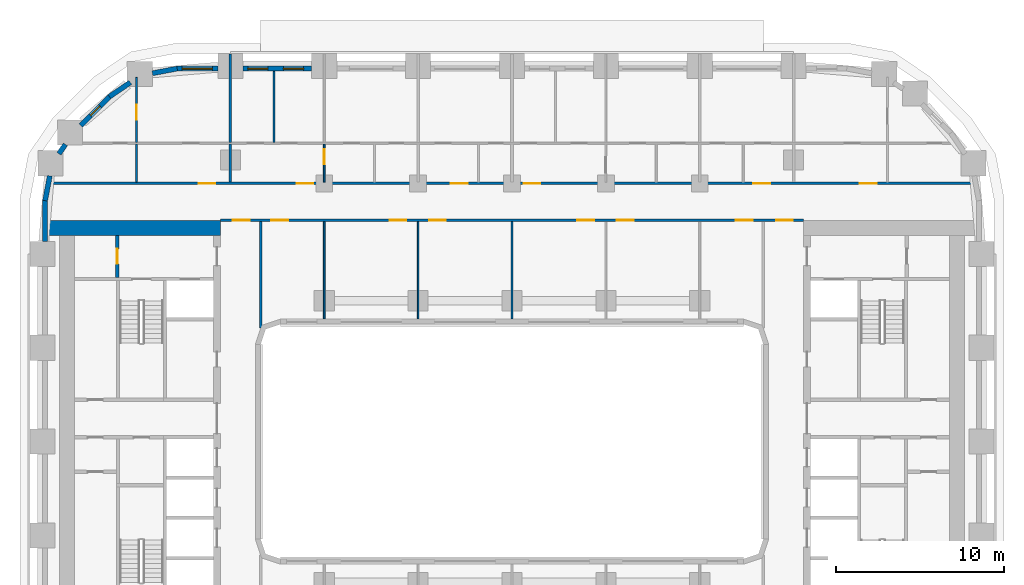
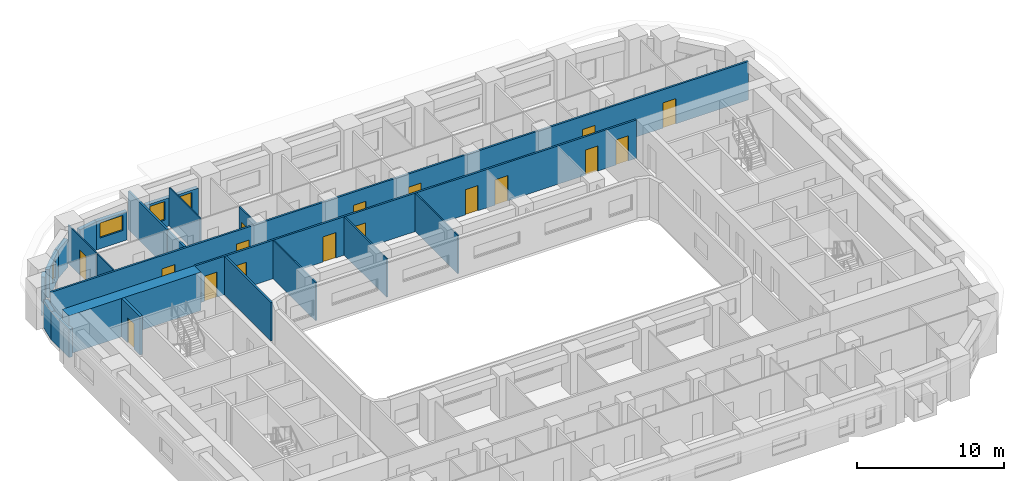
# One storey, part 7 of 21: 22 walls, 17 doors, 4 windows, 21 openings.
"""IFC4 building model written with IfcOpenShell, lengths in metres."""

from ifc_helpers import new_model, si_unit, direction, frame, frame_2d, origin, place, context, subcontext, project, spatial, rectangle, extrude, material, layer, layer_set, type_object, element, fill, save


model = new_model("IFC4")

# Units and contexts
model_context = context("Model", 3, precision=1e-05, world=origin(), true_north=direction((0.0, 1.0)))
body_context = subcontext(model_context, "Body", "Model", "MODEL_VIEW")
ifc_project = project(units=[si_unit("LENGTHUNIT", "METRE"), si_unit("AREAUNIT", "SQUARE_METRE"), si_unit("VOLUMEUNIT", "CUBIC_METRE"), si_unit("PLANEANGLEUNIT", "RADIAN"), si_unit("MASSUNIT", "GRAM", prefix="KILO")], contexts=[model_context])

# Site, building, storey
site_placement = place(None, origin())
site = spatial("IfcSite", under=ifc_project, at=site_placement, CompositionType="ELEMENT")
building_placement = place(site_placement, origin())
building = spatial("IfcBuilding", under=site, at=building_placement, Name="Kiln Ring Residences", CompositionType="ELEMENT")
storey_placement = place(building_placement, frame((0.0, 0.0, 34.0)))
storey = spatial("IfcBuildingStorey", under=building, at=storey_placement, Name="L07", CompositionType="ELEMENT", Elevation=34.0)

# Wall, opening, door
ifc_material_1 = material(Name="Gypsum board on steel studs", Category="steel")
ifc_layer_1 = layer(ifc_material_1, 0.199951171875)
ifc_layer_set_1 = layer_set([ifc_layer_1], Name="CORE-PARTITION-200")
wall_type_1 = type_object("IfcWallType", Name="CORE-PARTITION-200", PredefinedType="PARTITIONING", material=ifc_layer_set_1)
wall_1_placement = place(storey_placement, frame((-23.550048828125, 9.800048828125, 0.0), z_axis=(0.0, 0.0, 1.0), x_axis=(0.0, 1.0, 0.0)))
wall_1 = element("IfcWall", 1, at=wall_1_placement, inside=storey, type_object=wall_type_1, Name="Core partition west L07 3", PredefinedType="PARTITIONING", context=body_context, shape_type="SweptSolid", body=[
    extrude(rectangle(XDim=2.5, YDim=0.199951171875, at=frame_2d((1.25, 0.0))), origin(), (0.0, 0.0, 1.0), 3.199951171875),
])
opening_1_placement = place(wall_1_placement, frame((0.800048828125, 0.0, 0.0)))
opening_1 = element("IfcOpeningElement", 2, at=opening_1_placement, cuts=wall_1, Name="Opening L07-CW09", PredefinedType="OPENING", context=body_context, shape_type="SweptSolid", body=[
    extrude(rectangle(XDim=0.89990234375, YDim=2.10009765625, at=frame_2d((0.449951171875, 1.050048828125))), frame((0.0, 0.10986328125, 0.0), z_axis=(0.0, -1.0, 0.0), x_axis=(1.0, 0.0, 0.0)), (0.0, 0.0, 1.0), 0.219970703125),
])
ifc_material_2 = material(Name="Steel door leaf", Category="steel")
door_type_1 = type_object("IfcDoorType", Name="CORE-DOOR-ROOM", OperationType="SINGLE_SWING_LEFT", PredefinedType="DOOR", material=ifc_material_2)
door_1_placement = place(opening_1_placement, origin())
door_1 = element("IfcDoor", 3, at=door_1_placement, inside=storey, type_object=door_type_1, Name="Fire riser room L07-CW09", OperationType="SINGLE_SWING_LEFT", OverallHeight=2.10009765625, OverallWidth=0.89990234375, PredefinedType="DOOR", context=body_context, shape_type="SweptSolid", body=[
    extrude(rectangle(XDim=0.89990234375, YDim=2.10009765625, at=frame_2d((0.449951171875, 1.050048828125))), frame((0.0, 0.02490234375, 0.0), z_axis=(0.0, -1.0, 0.0), x_axis=(1.0, 0.0, 0.0)), (0.0, 0.0, 1.0), 0.050048828125),
])
fill(opening_1, door_1)

# Wall
ifc_material_3 = material(Name="Concrete C60/75", Category="concrete")
ifc_layer_2 = layer(ifc_material_3, 0.89990234375)
ifc_layer_set_2 = layer_set([ifc_layer_2], Name="CORE-WALL-RC900")
wall_type_2 = type_object("IfcWallType", Name="CORE-WALL-RC900", PredefinedType="SHEAR", material=ifc_layer_set_2)
wall_2_placement = place(storey_placement, frame((-17.39990234375, 12.75, 0.0), z_axis=(0.0, 0.0, 1.0), x_axis=(-1.0, 0.0, 0.0)))
element("IfcWall", 4, at=wall_2_placement, inside=storey, type_object=wall_type_2, Name="Core wall west L07 4", PredefinedType="SHEAR", context=body_context, shape_type="SweptSolid", body=[
    extrude(rectangle(XDim=10.400146484375, YDim=0.89990234375, at=frame_2d((5.2001953125, 0.0))), origin(), (0.0, 0.0, 1.0), 3.199951171875),
])

# Wall, openings, windows
ifc_material_4 = material(Name="Brick masonry, dark clay brick", Category="masonry")
ifc_layer_3 = layer(ifc_material_4, 0.300048828125)
ifc_layer_set_3 = layer_set([ifc_layer_3], Name="EW-300 BRICK WALL")
wall_type_3 = type_object("IfcWallType", Name="EW-300 BRICK WALL", PredefinedType="SOLIDWALL", material=ifc_layer_set_3)
wall_3_placement = place(storey_placement, frame((-11.949951171875, 22.25, 0.0), z_axis=(0.0, 0.0, 1.0), x_axis=(-1.0, 0.0, 0.0)))
wall_3 = element("IfcWall", 5, at=wall_3_placement, inside=storey, type_object=wall_type_3, Name="Facade wall L07 34", PredefinedType="SOLIDWALL", context=body_context, shape_type="SweptSolid", body=[
    extrude(rectangle(XDim=4.10009765625, YDim=0.300048828125, at=frame_2d((2.050048828125, 0.0))), origin(), (0.0, 0.0, 1.0), 2.35009765625),
])
opening_2_placement = place(wall_3_placement, frame((0.487548828125, 0.0, 0.60009765625)))
opening_2 = element("IfcOpeningElement", 6, at=opening_2_placement, cuts=wall_3, Name="Opening W1", PredefinedType="OPENING", context=body_context, shape_type="SweptSolid", body=[
    extrude(rectangle(XDim=1.199951171875, YDim=1.550048828125, at=frame_2d((0.60009765625, 0.77490234375))), frame((0.0, 0.159912109375, 0.0), z_axis=(0.0, -1.0, 0.0), x_axis=(1.0, 0.0, 0.0)), (0.0, 0.0, 1.0), 0.320068359375),
])
opening_3_placement = place(wall_3_placement, frame((2.612548828125, 0.0, 0.60009765625)))
opening_3 = element("IfcOpeningElement", 7, at=opening_3_placement, cuts=wall_3, Name="Opening W1", PredefinedType="OPENING", context=body_context, shape_type="SweptSolid", body=[
    extrude(rectangle(XDim=1.199951171875, YDim=1.550048828125, at=frame_2d((0.60009765625, 0.77490234375))), frame((0.0, 0.159912109375, 0.0), z_axis=(0.0, -1.0, 0.0), x_axis=(1.0, 0.0, 0.0)), (0.0, 0.0, 1.0), 0.320068359375),
])
ifc_material_5 = material(Name="Aluminium frame with double glazing", Category="aluminium")
window_type_1 = type_object("IfcWindowType", Name="WINDOW 1200 x 1550", PartitioningType="SINGLE_PANEL", PredefinedType="WINDOW", material=ifc_material_5)
window_1_placement = place(opening_2_placement, origin())
window_1 = element("IfcWindow", 8, at=window_1_placement, inside=storey, type_object=window_type_1, Name="Window L07 20", OverallHeight=1.550048828125, OverallWidth=1.199951171875, PartitioningType="SINGLE_PANEL", PredefinedType="WINDOW", context=body_context, shape_type="SweptSolid", body=[
    extrude(rectangle(XDim=1.199951171875, YDim=1.550048828125, at=frame_2d((0.60009765625, 0.77490234375))), frame((0.0, 0.030029296875, 0.0), z_axis=(0.0, -1.0, 0.0), x_axis=(1.0, 0.0, 0.0)), (0.0, 0.0, 1.0), 0.06005859375),
])
fill(opening_2, window_1)
window_2_placement = place(opening_3_placement, origin())
window_2 = element("IfcWindow", 9, at=window_2_placement, inside=storey, type_object=window_type_1, Name="Window L07 21", OverallHeight=1.550048828125, OverallWidth=1.199951171875, PartitioningType="SINGLE_PANEL", PredefinedType="WINDOW", context=body_context, shape_type="SweptSolid", body=[
    extrude(rectangle(XDim=1.199951171875, YDim=1.550048828125, at=frame_2d((0.60009765625, 0.77490234375))), frame((0.0, 0.030029296875, 0.0), z_axis=(0.0, -1.0, 0.0), x_axis=(1.0, 0.0, 0.0)), (0.0, 0.0, 1.0), 0.06005859375),
])
fill(opening_3, window_2)

# Wall, opening, window
wall_4_placement = place(storey_placement, frame((-17.550048828125, 22.25, 0.0), z_axis=(0.0, 0.0, 1.0), x_axis=(-1.0, 0.0, 0.0)))
wall_4 = element("IfcWall", 10, at=wall_4_placement, inside=storey, type_object=wall_type_3, Name="Facade wall L07 35", PredefinedType="SOLIDWALL", context=body_context, shape_type="SweptSolid", body=[
    extrude(rectangle(XDim=2.449951171875, YDim=0.300048828125, at=frame_2d((1.22509765625, 0.0))), origin(), (0.0, 0.0, 1.0), 2.35009765625),
])
opening_4_placement = place(wall_4_placement, frame((0.324951171875, 0.0, 0.89990234375)))
opening_4 = element("IfcOpeningElement", 11, at=opening_4_placement, cuts=wall_4, Name="Opening W2", PredefinedType="OPENING", context=body_context, shape_type="SweptSolid", body=[
    extrude(rectangle(XDim=1.800048828125, YDim=1.25, at=frame_2d((0.89990234375, 0.625))), frame((0.0, 0.159912109375, 0.0), z_axis=(0.0, -1.0, 0.0), x_axis=(1.0, 0.0, 0.0)), (0.0, 0.0, 1.0), 0.320068359375),
])
ifc_material_6 = material(Name="Aluminium frame with double glazing", Category="aluminium")
window_type_2 = type_object("IfcWindowType", Name="WINDOW 1800 x 1250", PartitioningType="SINGLE_PANEL", PredefinedType="WINDOW", material=ifc_material_6)
window_3_placement = place(opening_4_placement, origin())
window_3 = element("IfcWindow", 12, at=window_3_placement, inside=storey, type_object=window_type_2, Name="Window L07 22", OverallHeight=1.25, OverallWidth=1.800048828125, PartitioningType="SINGLE_PANEL", PredefinedType="WINDOW", context=body_context, shape_type="SweptSolid", body=[
    extrude(rectangle(XDim=1.800048828125, YDim=1.25, at=frame_2d((0.89990234375, 0.625))), frame((0.0, 0.030029296875, 0.0), z_axis=(0.0, -1.0, 0.0), x_axis=(1.0, 0.0, 0.0)), (0.0, 0.0, 1.0), 0.06005859375),
])
fill(opening_4, window_3)

# Walls
for number, where, z_axis, x_axis, name in (
    (13, (-19.971923828125, 22.252685546875, 0.0), (0.0, 0.0, 1.0), (-0.982287454367, -0.187380247071, 0.0), "Facade wall L07 36"),
    (14, (-22.76708984375, 21.425537109375, 0.0), (0.0, 0.0, 1.0), (-0.827028997312, -0.562159263559, 0.0), "Facade wall L07 37"),
):
    element("IfcWall", number, at=place(storey_placement, frame(where, z_axis=z_axis, x_axis=x_axis)), inside=storey, type_object=wall_type_3, Name=name, PredefinedType="SOLIDWALL", context=body_context, shape_type="SweptSolid", body=[
        extrude(rectangle(XDim=1.506103515625, YDim=0.300048828125, at=frame_2d((0.7529296875, 0.0))), origin(), (0.0, 0.0, 1.0), 2.35009765625),
    ])

# Wall, opening, window
wall_5_placement = place(storey_placement, frame((-23.990966796875, 20.596923828125, 0.0), z_axis=(0.0, 0.0, 1.0), x_axis=(-0.707106781187, -0.707106781187, 0.0)))
wall_5 = element("IfcWall", 15, at=wall_5_placement, inside=storey, type_object=wall_type_3, Name="Facade wall L07 38", PredefinedType="SOLIDWALL", context=body_context, shape_type="SweptSolid", body=[
    extrude(rectangle(XDim=2.449951171875, YDim=0.300048828125, at=frame_2d((1.22509765625, 0.0))), origin(), (0.0, 0.0, 1.0), 2.35009765625),
])
opening_5_placement = place(wall_5_placement, frame((0.824951171875, 0.0, 0.60009765625)))
opening_5 = element("IfcOpeningElement", 16, at=opening_5_placement, cuts=wall_5, Name="Opening W5", PredefinedType="OPENING", context=body_context, shape_type="SweptSolid", body=[
    extrude(rectangle(XDim=0.800048828125, YDim=1.550048828125, at=frame_2d((0.39990234375, 0.77490234375))), frame((0.0, 0.159912109375, 0.0), z_axis=(0.0, -1.0, 0.0), x_axis=(1.0, 0.0, 0.0)), (0.0, 0.0, 1.0), 0.320068359375),
])
ifc_material_7 = material(Name="Aluminium frame with double glazing", Category="aluminium")
window_type_3 = type_object("IfcWindowType", Name="WINDOW 800 x 1550", PartitioningType="SINGLE_PANEL", PredefinedType="WINDOW", material=ifc_material_7)
window_4_placement = place(opening_5_placement, origin())
window_4 = element("IfcWindow", 17, at=window_4_placement, inside=storey, type_object=window_type_3, Name="Window L07 23", OverallHeight=1.550048828125, OverallWidth=0.800048828125, PartitioningType="SINGLE_PANEL", PredefinedType="WINDOW", context=body_context, shape_type="SweptSolid", body=[
    extrude(rectangle(XDim=0.800048828125, YDim=1.550048828125, at=frame_2d((0.39990234375, 0.77490234375))), frame((0.0, 0.030029296875, 0.0), z_axis=(0.0, -1.0, 0.0), x_axis=(1.0, 0.0, 0.0)), (0.0, 0.0, 1.0), 0.06005859375),
])
fill(opening_5, window_4)

# Walls
wall_6_placement = place(storey_placement, frame((-26.644775390625, 17.72705078125, 0.0), z_axis=(0.0, 0.0, 1.0), x_axis=(-0.562083182981, -0.827080706709, 0.0)))
element("IfcWall", 18, at=wall_6_placement, inside=storey, type_object=wall_type_3, Name="Facade wall L07 39", PredefinedType="SOLIDWALL", context=body_context, shape_type="SweptSolid", body=[
    extrude(rectangle(XDim=0.67724609375, YDim=0.300048828125, at=frame_2d((0.338623046875, 0.0))), origin(), (0.0, 0.0, 1.0), 3.199951171875),
])
wall_7_placement = place(storey_placement, frame((-27.570556640625, 15.851318359375, 0.0), z_axis=(0.0, 0.0, 1.0), x_axis=(-0.187223837635, -0.982317277982, 0.0)))
element("IfcWall", 19, at=wall_7_placement, inside=storey, type_object=wall_type_3, Name="Facade wall L07 40", PredefinedType="SOLIDWALL", context=body_context, shape_type="SweptSolid", body=[
    extrude(rectangle(XDim=1.506103515625, YDim=0.300048828125, at=frame_2d((0.7529296875, 0.0))), origin(), (0.0, 0.0, 1.0), 2.35009765625),
])
wall_8_placement = place(storey_placement, frame((-27.85009765625, 14.39990234375, 0.0), z_axis=(0.0, 0.0, 1.0), x_axis=(0.0, -1.0, 0.0)))
element("IfcWall", 20, at=wall_8_placement, inside=storey, type_object=wall_type_3, Name="Facade wall L07 41", PredefinedType="SOLIDWALL", context=body_context, shape_type="SweptSolid", body=[
    extrude(rectangle(XDim=2.449951171875, YDim=0.300048828125, at=frame_2d((1.22509765625, 0.0))), origin(), (0.0, 0.0, 1.0), 2.35009765625),
])
ifc_material_8 = material(Name="Gypsum board on steel studs", Category="steel")
ifc_layer_4 = layer(ifc_material_8, 0.10009765625)
ifc_layer_set_4 = layer_set([ifc_layer_4], Name="PARTITION-100")
wall_type_4 = type_object("IfcWallType", Name="PARTITION-100", PredefinedType="PARTITIONING", material=ifc_layer_set_4)
wall_9_placement = place(storey_placement, frame((-22.39990234375, 15.47509765625, 0.0), z_axis=(0.0, 0.0, 1.0), x_axis=(0.0, 1.0, 0.0)))
element("IfcWall", 21, at=wall_9_placement, inside=storey, type_object=wall_type_4, Name="Partition 008", PredefinedType="PARTITIONING", context=body_context, shape_type="SweptSolid", body=[
    extrude(rectangle(XDim=2.27490234375, YDim=0.10009765625, at=frame_2d((1.137451171875, 0.0))), origin(), (0.0, 0.0, 1.0), 3.199951171875),
])

# Wall, opening, door
wall_10_placement = place(storey_placement, frame((-22.39990234375, 17.85009765625, 0.0), z_axis=(0.0, 0.0, 1.0), x_axis=(0.0, 1.0, 0.0)))
wall_10 = element("IfcWall", 22, at=wall_10_placement, inside=storey, type_object=wall_type_4, Name="Partition 009", PredefinedType="PARTITIONING", context=body_context, shape_type="SweptSolid", body=[
    extrude(rectangle(XDim=3.869873046875, YDim=0.10009765625, at=frame_2d((1.93505859375, 0.0))), origin(), (0.0, 0.0, 1.0), 3.199951171875),
])
opening_6_placement = place(wall_10_placement, frame((1.347900390625, 0.0, 0.0)))
opening_6 = element("IfcOpeningElement", 23, at=opening_6_placement, cuts=wall_10, Name="Opening L07-D014", PredefinedType="OPENING", context=body_context, shape_type="SweptSolid", body=[
    extrude(rectangle(XDim=0.89990234375, YDim=2.10009765625, at=frame_2d((0.449951171875, 1.050048828125))), frame((0.0, 0.06005859375, 0.0), z_axis=(0.0, -1.0, 0.0), x_axis=(1.0, 0.0, 0.0)), (0.0, 0.0, 1.0), 0.1201171875),
])
ifc_material_9 = material(Name="Timber door leaf", Category="wood")
door_type_2 = type_object("IfcDoorType", Name="FLAT-DOOR-900-PL", OperationType="SINGLE_SWING_LEFT", PredefinedType="DOOR", material=ifc_material_9)
door_2_placement = place(opening_6_placement, origin())
door_2 = element("IfcDoor", 24, at=door_2_placement, inside=storey, type_object=door_type_2, Name="Door L07-D014", OperationType="SINGLE_SWING_RIGHT", OverallHeight=2.10009765625, OverallWidth=0.89990234375, PredefinedType="DOOR", context=body_context, shape_type="SweptSolid", body=[
    extrude(rectangle(XDim=0.89990234375, YDim=2.10009765625, at=frame_2d((0.449951171875, 1.050048828125))), frame((0.0, 0.02490234375, 0.0), z_axis=(0.0, -1.0, 0.0), x_axis=(1.0, 0.0, 0.0)), (0.0, 0.0, 1.0), 0.050048828125),
])
fill(opening_6, door_2)

# Walls
wall_11_placement = place(storey_placement, frame((-14.199951171875, 17.85009765625, 0.0), z_axis=(0.0, 0.0, 1.0), x_axis=(0.0, 1.0, 0.0)))
element("IfcWall", 25, at=wall_11_placement, inside=storey, type_object=wall_type_4, Name="Partition 016", PredefinedType="PARTITIONING", context=body_context, shape_type="SweptSolid", body=[
    extrude(rectangle(XDim=4.22998046875, YDim=0.10009765625, at=frame_2d((2.114990234375, 0.0))), origin(), (0.0, 0.0, 1.0), 3.199951171875),
])
wall_12_placement = place(storey_placement, frame((-11.199951171875, 7.320068359375, 0.0), z_axis=(0.0, 0.0, 1.0), x_axis=(0.0, 1.0, 0.0)))
element("IfcWall", 26, at=wall_12_placement, inside=storey, type_object=wall_type_4, Name="Partition 019", PredefinedType="PARTITIONING", context=body_context, shape_type="SweptSolid", body=[
    extrude(rectangle(XDim=5.804931640625, YDim=0.10009765625, at=frame_2d((2.90234375, 0.0))), origin(), (0.0, 0.0, 1.0), 3.199951171875),
])

# Wall, opening, door
wall_13_placement = place(storey_placement, frame((-11.199951171875, 15.47509765625, 0.0), z_axis=(0.0, 0.0, 1.0), x_axis=(0.0, 1.0, 0.0)))
wall_13 = element("IfcWall", 27, at=wall_13_placement, inside=storey, type_object=wall_type_4, Name="Partition 020", PredefinedType="PARTITIONING", context=body_context, shape_type="SweptSolid", body=[
    extrude(rectangle(XDim=2.27490234375, YDim=0.10009765625, at=frame_2d((1.137451171875, 0.0))), origin(), (0.0, 0.0, 1.0), 3.199951171875),
])
opening_7_placement = place(wall_13_placement, frame((1.075927734375, 0.0, 0.0)))
opening_7 = element("IfcOpeningElement", 28, at=opening_7_placement, cuts=wall_13, Name="Opening L07-D016", PredefinedType="OPENING", context=body_context, shape_type="SweptSolid", body=[
    extrude(rectangle(XDim=0.89990234375, YDim=2.10009765625, at=frame_2d((0.449951171875, 1.050048828125))), frame((0.0, 0.06005859375, 0.0), z_axis=(0.0, -1.0, 0.0), x_axis=(1.0, 0.0, 0.0)), (0.0, 0.0, 1.0), 0.1201171875),
])
door_3_placement = place(opening_7_placement, origin())
door_3 = element("IfcDoor", 29, at=door_3_placement, inside=storey, type_object=door_type_2, Name="Door L07-D016", OperationType="SINGLE_SWING_RIGHT", OverallHeight=2.10009765625, OverallWidth=0.89990234375, PredefinedType="DOOR", context=body_context, shape_type="SweptSolid", body=[
    extrude(rectangle(XDim=0.89990234375, YDim=2.10009765625, at=frame_2d((0.449951171875, 1.050048828125))), frame((0.0, 0.02490234375, 0.0), z_axis=(0.0, -1.0, 0.0), x_axis=(1.0, 0.0, 0.0)), (0.0, 0.0, 1.0), 0.050048828125),
])
fill(opening_7, door_3)

# Walls
for number, where, z_axis, x_axis, name in (
    (30, (-5.60009765625, 7.320068359375, 0.0), (0.0, 0.0, 1.0), (0.0, 1.0, 0.0), "Partition 027"),
    (31, (0.0, 7.320068359375, 0.0), (0.0, 0.0, 1.0), (0.0, 1.0, 0.0), "Partition 035"),
):
    element("IfcWall", number, at=place(storey_placement, frame(where, z_axis=z_axis, x_axis=x_axis)), inside=storey, type_object=wall_type_4, Name=name, PredefinedType="PARTITIONING", context=body_context, shape_type="SweptSolid", body=[
        extrude(rectangle(XDim=5.804931640625, YDim=0.10009765625, at=frame_2d((2.90234375, 0.0))), origin(), (0.0, 0.0, 1.0), 3.199951171875),
    ])

# Wall, openings, doors
ifc_material_10 = material(Name="Brick masonry partition", Category="masonry")
ifc_layer_5 = layer(ifc_material_10, 0.14990234375)
ifc_layer_set_5 = layer_set([ifc_layer_5], Name="PARTITION-150-ei60")
wall_type_5 = type_object("IfcWallType", Name="PARTITION-150-ei60", PredefinedType="PARTITIONING", material=ifc_layer_set_5)
wall_14_placement = place(storey_placement, frame((-17.39990234375, 13.199951171875, 0.0), z_axis=(0.0, 0.0, 1.0), x_axis=(1.0, 0.0, 0.0)))
wall_14 = element("IfcWall", 32, at=wall_14_placement, inside=storey, type_object=wall_type_5, Name="Partition 003", PredefinedType="PARTITIONING", context=body_context, shape_type="SweptSolid", body=[
    extrude(rectangle(XDim=34.7998046875, YDim=0.14990234375, at=frame_2d((17.39990234375, 0.0))), origin(), (0.0, 0.0, 1.0), 3.199951171875),
])
opening_8_placement = place(wall_14_placement, frame((0.75, 0.0, 0.0)))
opening_8 = element("IfcOpeningElement", 33, at=opening_8_placement, cuts=wall_14, Name="Opening L07-D001", PredefinedType="OPENING", context=body_context, shape_type="SweptSolid", body=[
    extrude(rectangle(XDim=1.0, YDim=2.10009765625, at=frame_2d((0.5, 1.050048828125))), frame((0.0, 0.0849609375, 0.0), z_axis=(0.0, -1.0, 0.0), x_axis=(1.0, 0.0, 0.0)), (0.0, 0.0, 1.0), 0.169921875),
])
opening_9_placement = place(wall_14_placement, frame((33.14990234375, 0.0, 0.0)))
opening_9 = element("IfcOpeningElement", 34, at=opening_9_placement, cuts=wall_14, Name="Opening L07-D002", PredefinedType="OPENING", context=body_context, shape_type="SweptSolid", body=[
    extrude(rectangle(XDim=1.0, YDim=2.10009765625, at=frame_2d((0.5, 1.050048828125))), frame((0.0, 0.0849609375, 0.0), z_axis=(0.0, -1.0, 0.0), x_axis=(1.0, 0.0, 0.0)), (0.0, 0.0, 1.0), 0.169921875),
])
opening_10_placement = place(wall_14_placement, frame((3.050048828125, 0.0, 0.0)))
opening_10 = element("IfcOpeningElement", 35, at=opening_10_placement, cuts=wall_14, Name="Opening L07-D005", PredefinedType="OPENING", context=body_context, shape_type="SweptSolid", body=[
    extrude(rectangle(XDim=1.0, YDim=2.10009765625, at=frame_2d((0.5, 1.050048828125))), frame((0.0, 0.0849609375, 0.0), z_axis=(0.0, -1.0, 0.0), x_axis=(1.0, 0.0, 0.0)), (0.0, 0.0, 1.0), 0.169921875),
])
opening_11_placement = place(wall_14_placement, frame((10.10009765625, 0.0, 0.0)))
opening_11 = element("IfcOpeningElement", 36, at=opening_11_placement, cuts=wall_14, Name="Opening L07-D006", PredefinedType="OPENING", context=body_context, shape_type="SweptSolid", body=[
    extrude(rectangle(XDim=1.0, YDim=2.10009765625, at=frame_2d((0.5, 1.050048828125))), frame((0.0, 0.0849609375, 0.0), z_axis=(0.0, -1.0, 0.0), x_axis=(1.0, 0.0, 0.0)), (0.0, 0.0, 1.0), 0.169921875),
])
opening_12_placement = place(wall_14_placement, frame((12.449951171875, 0.0, 0.0)))
opening_12 = element("IfcOpeningElement", 37, at=opening_12_placement, cuts=wall_14, Name="Opening L07-D007", PredefinedType="OPENING", context=body_context, shape_type="SweptSolid", body=[
    extrude(rectangle(XDim=1.0, YDim=2.10009765625, at=frame_2d((0.5, 1.050048828125))), frame((0.0, 0.0849609375, 0.0), z_axis=(0.0, -1.0, 0.0), x_axis=(1.0, 0.0, 0.0)), (0.0, 0.0, 1.0), 0.169921875),
])
opening_13_placement = place(wall_14_placement, frame((21.300048828125, 0.0, 0.0)))
opening_13 = element("IfcOpeningElement", 38, at=opening_13_placement, cuts=wall_14, Name="Opening L07-D008", PredefinedType="OPENING", context=body_context, shape_type="SweptSolid", body=[
    extrude(rectangle(XDim=1.0, YDim=2.10009765625, at=frame_2d((0.5, 1.050048828125))), frame((0.0, 0.0849609375, 0.0), z_axis=(0.0, -1.0, 0.0), x_axis=(1.0, 0.0, 0.0)), (0.0, 0.0, 1.0), 0.169921875),
])
opening_14_placement = place(wall_14_placement, frame((23.64990234375, 0.0, 0.0)))
opening_14 = element("IfcOpeningElement", 39, at=opening_14_placement, cuts=wall_14, Name="Opening L07-D009", PredefinedType="OPENING", context=body_context, shape_type="SweptSolid", body=[
    extrude(rectangle(XDim=1.0, YDim=2.10009765625, at=frame_2d((0.5, 1.050048828125))), frame((0.0, 0.0849609375, 0.0), z_axis=(0.0, -1.0, 0.0), x_axis=(1.0, 0.0, 0.0)), (0.0, 0.0, 1.0), 0.169921875),
])
opening_15_placement = place(wall_14_placement, frame((30.75, 0.0, 0.0)))
opening_15 = element("IfcOpeningElement", 40, at=opening_15_placement, cuts=wall_14, Name="Opening L07-D010", PredefinedType="OPENING", context=body_context, shape_type="SweptSolid", body=[
    extrude(rectangle(XDim=1.0, YDim=2.10009765625, at=frame_2d((0.5, 1.050048828125))), frame((0.0, 0.0849609375, 0.0), z_axis=(0.0, -1.0, 0.0), x_axis=(1.0, 0.0, 0.0)), (0.0, 0.0, 1.0), 0.169921875),
])
ifc_material_11 = material(Name="Steel faced fire door leaf", Category="steel")
door_type_3 = type_object("IfcDoorType", Name="FLAT-DOOR-1000-FR", OperationType="SINGLE_SWING_LEFT", PredefinedType="DOOR", material=ifc_material_11)
door_4_placement = place(opening_8_placement, origin())
door_4 = element("IfcDoor", 41, at=door_4_placement, inside=storey, type_object=door_type_3, Name="Door L07-D001", OperationType="SINGLE_SWING_RIGHT", OverallHeight=2.10009765625, OverallWidth=1.0, PredefinedType="DOOR", context=body_context, shape_type="SweptSolid", body=[
    extrude(rectangle(XDim=1.0, YDim=2.10009765625, at=frame_2d((0.5, 1.050048828125))), frame((0.0, 0.02490234375, 0.0), z_axis=(0.0, -1.0, 0.0), x_axis=(1.0, 0.0, 0.0)), (0.0, 0.0, 1.0), 0.050048828125),
])
fill(opening_8, door_4)
door_5_placement = place(opening_9_placement, origin())
door_5 = element("IfcDoor", 42, at=door_5_placement, inside=storey, type_object=door_type_3, Name="Door L07-D002", OperationType="SINGLE_SWING_LEFT", OverallHeight=2.10009765625, OverallWidth=1.0, PredefinedType="DOOR", context=body_context, shape_type="SweptSolid", body=[
    extrude(rectangle(XDim=1.0, YDim=2.10009765625, at=frame_2d((0.5, 1.050048828125))), frame((0.0, 0.02490234375, 0.0), z_axis=(0.0, -1.0, 0.0), x_axis=(1.0, 0.0, 0.0)), (0.0, 0.0, 1.0), 0.050048828125),
])
fill(opening_9, door_5)
door_6_placement = place(opening_10_placement, origin())
door_6 = element("IfcDoor", 43, at=door_6_placement, inside=storey, type_object=door_type_3, Name="Door L07-D005", OperationType="SINGLE_SWING_LEFT", OverallHeight=2.10009765625, OverallWidth=1.0, PredefinedType="DOOR", context=body_context, shape_type="SweptSolid", body=[
    extrude(rectangle(XDim=1.0, YDim=2.10009765625, at=frame_2d((0.5, 1.050048828125))), frame((0.0, 0.02490234375, 0.0), z_axis=(0.0, -1.0, 0.0), x_axis=(1.0, 0.0, 0.0)), (0.0, 0.0, 1.0), 0.050048828125),
])
fill(opening_10, door_6)
door_7_placement = place(opening_11_placement, origin())
door_7 = element("IfcDoor", 44, at=door_7_placement, inside=storey, type_object=door_type_3, Name="Door L07-D006", OperationType="SINGLE_SWING_RIGHT", OverallHeight=2.10009765625, OverallWidth=1.0, PredefinedType="DOOR", context=body_context, shape_type="SweptSolid", body=[
    extrude(rectangle(XDim=1.0, YDim=2.10009765625, at=frame_2d((0.5, 1.050048828125))), frame((0.0, 0.02490234375, 0.0), z_axis=(0.0, -1.0, 0.0), x_axis=(1.0, 0.0, 0.0)), (0.0, 0.0, 1.0), 0.050048828125),
])
fill(opening_11, door_7)
door_8_placement = place(opening_12_placement, origin())
door_8 = element("IfcDoor", 45, at=door_8_placement, inside=storey, type_object=door_type_3, Name="Door L07-D007", OperationType="SINGLE_SWING_LEFT", OverallHeight=2.10009765625, OverallWidth=1.0, PredefinedType="DOOR", context=body_context, shape_type="SweptSolid", body=[
    extrude(rectangle(XDim=1.0, YDim=2.10009765625, at=frame_2d((0.5, 1.050048828125))), frame((0.0, 0.02490234375, 0.0), z_axis=(0.0, -1.0, 0.0), x_axis=(1.0, 0.0, 0.0)), (0.0, 0.0, 1.0), 0.050048828125),
])
fill(opening_12, door_8)
door_9_placement = place(opening_13_placement, origin())
door_9 = element("IfcDoor", 46, at=door_9_placement, inside=storey, type_object=door_type_3, Name="Door L07-D008", OperationType="SINGLE_SWING_RIGHT", OverallHeight=2.10009765625, OverallWidth=1.0, PredefinedType="DOOR", context=body_context, shape_type="SweptSolid", body=[
    extrude(rectangle(XDim=1.0, YDim=2.10009765625, at=frame_2d((0.5, 1.050048828125))), frame((0.0, 0.02490234375, 0.0), z_axis=(0.0, -1.0, 0.0), x_axis=(1.0, 0.0, 0.0)), (0.0, 0.0, 1.0), 0.050048828125),
])
fill(opening_13, door_9)
door_10_placement = place(opening_14_placement, origin())
door_10 = element("IfcDoor", 47, at=door_10_placement, inside=storey, type_object=door_type_3, Name="Door L07-D009", OperationType="SINGLE_SWING_LEFT", OverallHeight=2.10009765625, OverallWidth=1.0, PredefinedType="DOOR", context=body_context, shape_type="SweptSolid", body=[
    extrude(rectangle(XDim=1.0, YDim=2.10009765625, at=frame_2d((0.5, 1.050048828125))), frame((0.0, 0.02490234375, 0.0), z_axis=(0.0, -1.0, 0.0), x_axis=(1.0, 0.0, 0.0)), (0.0, 0.0, 1.0), 0.050048828125),
])
fill(opening_14, door_10)
door_11_placement = place(opening_15_placement, origin())
door_11 = element("IfcDoor", 48, at=door_11_placement, inside=storey, type_object=door_type_3, Name="Door L07-D010", OperationType="SINGLE_SWING_RIGHT", OverallHeight=2.10009765625, OverallWidth=1.0, PredefinedType="DOOR", context=body_context, shape_type="SweptSolid", body=[
    extrude(rectangle(XDim=1.0, YDim=2.10009765625, at=frame_2d((0.5, 1.050048828125))), frame((0.0, 0.02490234375, 0.0), z_axis=(0.0, -1.0, 0.0), x_axis=(1.0, 0.0, 0.0)), (0.0, 0.0, 1.0), 0.050048828125),
])
fill(opening_15, door_11)

wall_15_placement = place(storey_placement, frame((-27.48388671875, 15.39990234375, 0.0), z_axis=(0.0, 0.0, 1.0), x_axis=(1.0, 0.0, 0.0)))
wall_15 = element("IfcWall", 49, at=wall_15_placement, inside=storey, type_object=wall_type_5, Name="Partition 004", PredefinedType="PARTITIONING", context=body_context, shape_type="SweptSolid", body=[
    extrude(rectangle(XDim=54.9677734375, YDim=0.14990234375, at=frame_2d((27.48388671875, 0.0))), origin(), (0.0, 0.0, 1.0), 3.199951171875),
])
opening_16_placement = place(wall_15_placement, frame((8.78369140625, 0.0, 0.0)))
opening_16 = element("IfcOpeningElement", 50, at=opening_16_placement, cuts=wall_15, Name="Opening L07-D011", PredefinedType="OPENING", context=body_context, shape_type="SweptSolid", body=[
    extrude(rectangle(XDim=1.0, YDim=2.10009765625, at=frame_2d((0.5, 1.050048828125))), frame((0.0, 0.0849609375, 0.0), z_axis=(0.0, -1.0, 0.0), x_axis=(1.0, 0.0, 0.0)), (0.0, 0.0, 1.0), 0.169921875),
])
opening_17_placement = place(wall_15_placement, frame((14.6337890625, 0.0, 0.0)))
opening_17 = element("IfcOpeningElement", 51, at=opening_17_placement, cuts=wall_15, Name="Opening L07-D015", PredefinedType="OPENING", context=body_context, shape_type="SweptSolid", body=[
    extrude(rectangle(XDim=1.0, YDim=2.10009765625, at=frame_2d((0.5, 1.050048828125))), frame((0.0, 0.0849609375, 0.0), z_axis=(0.0, -1.0, 0.0), x_axis=(1.0, 0.0, 0.0)), (0.0, 0.0, 1.0), 0.169921875),
])
opening_18_placement = place(wall_15_placement, frame((23.833740234375, 0.0, 0.0)))
opening_18 = element("IfcOpeningElement", 52, at=opening_18_placement, cuts=wall_15, Name="Opening L07-D021", PredefinedType="OPENING", context=body_context, shape_type="SweptSolid", body=[
    extrude(rectangle(XDim=1.0, YDim=2.10009765625, at=frame_2d((0.5, 1.050048828125))), frame((0.0, 0.0849609375, 0.0), z_axis=(0.0, -1.0, 0.0), x_axis=(1.0, 0.0, 0.0)), (0.0, 0.0, 1.0), 0.169921875),
])
opening_19_placement = place(wall_15_placement, frame((28.183837890625, 0.0, 0.0)))
opening_19 = element("IfcOpeningElement", 53, at=opening_19_placement, cuts=wall_15, Name="Opening L07-D024", PredefinedType="OPENING", context=body_context, shape_type="SweptSolid", body=[
    extrude(rectangle(XDim=1.0, YDim=2.10009765625, at=frame_2d((0.5, 1.050048828125))), frame((0.0, 0.0849609375, 0.0), z_axis=(0.0, -1.0, 0.0), x_axis=(1.0, 0.0, 0.0)), (0.0, 0.0, 1.0), 0.169921875),
])
opening_20_placement = place(wall_15_placement, frame((41.8837890625, 0.0, 0.0)))
opening_20 = element("IfcOpeningElement", 54, at=opening_20_placement, cuts=wall_15, Name="Opening L07-D030", PredefinedType="OPENING", context=body_context, shape_type="SweptSolid", body=[
    extrude(rectangle(XDim=1.0, YDim=2.10009765625, at=frame_2d((0.5, 1.050048828125))), frame((0.0, 0.0849609375, 0.0), z_axis=(0.0, -1.0, 0.0), x_axis=(1.0, 0.0, 0.0)), (0.0, 0.0, 1.0), 0.169921875),
])
opening_21_placement = place(wall_15_placement, frame((48.23388671875, 0.0, 0.0)))
opening_21 = element("IfcOpeningElement", 55, at=opening_21_placement, cuts=wall_15, Name="Opening L07-D033", PredefinedType="OPENING", context=body_context, shape_type="SweptSolid", body=[
    extrude(rectangle(XDim=1.0, YDim=2.10009765625, at=frame_2d((0.5, 1.050048828125))), frame((0.0, 0.0849609375, 0.0), z_axis=(0.0, -1.0, 0.0), x_axis=(1.0, 0.0, 0.0)), (0.0, 0.0, 1.0), 0.169921875),
])
door_12_placement = place(opening_16_placement, origin())
door_12 = element("IfcDoor", 56, at=door_12_placement, inside=storey, type_object=door_type_3, Name="Door L07-D011", OperationType="SINGLE_SWING_LEFT", OverallHeight=2.10009765625, OverallWidth=1.0, PredefinedType="DOOR", context=body_context, shape_type="SweptSolid", body=[
    extrude(rectangle(XDim=1.0, YDim=2.10009765625, at=frame_2d((0.5, 1.050048828125))), frame((0.0, 0.02490234375, 0.0), z_axis=(0.0, -1.0, 0.0), x_axis=(1.0, 0.0, 0.0)), (0.0, 0.0, 1.0), 0.050048828125),
])
fill(opening_16, door_12)
door_13_placement = place(opening_17_placement, origin())
door_13 = element("IfcDoor", 57, at=door_13_placement, inside=storey, type_object=door_type_3, Name="Door L07-D015", OperationType="SINGLE_SWING_LEFT", OverallHeight=2.10009765625, OverallWidth=1.0, PredefinedType="DOOR", context=body_context, shape_type="SweptSolid", body=[
    extrude(rectangle(XDim=1.0, YDim=2.10009765625, at=frame_2d((0.5, 1.050048828125))), frame((0.0, 0.02490234375, 0.0), z_axis=(0.0, -1.0, 0.0), x_axis=(1.0, 0.0, 0.0)), (0.0, 0.0, 1.0), 0.050048828125),
])
fill(opening_17, door_13)
door_14_placement = place(opening_18_placement, origin())
door_14 = element("IfcDoor", 58, at=door_14_placement, inside=storey, type_object=door_type_3, Name="Door L07-D021", OperationType="SINGLE_SWING_LEFT", OverallHeight=2.10009765625, OverallWidth=1.0, PredefinedType="DOOR", context=body_context, shape_type="SweptSolid", body=[
    extrude(rectangle(XDim=1.0, YDim=2.10009765625, at=frame_2d((0.5, 1.050048828125))), frame((0.0, 0.02490234375, 0.0), z_axis=(0.0, -1.0, 0.0), x_axis=(1.0, 0.0, 0.0)), (0.0, 0.0, 1.0), 0.050048828125),
])
fill(opening_18, door_14)
door_15_placement = place(opening_19_placement, origin())
door_15 = element("IfcDoor", 59, at=door_15_placement, inside=storey, type_object=door_type_3, Name="Door L07-D024", OperationType="SINGLE_SWING_RIGHT", OverallHeight=2.10009765625, OverallWidth=1.0, PredefinedType="DOOR", context=body_context, shape_type="SweptSolid", body=[
    extrude(rectangle(XDim=1.0, YDim=2.10009765625, at=frame_2d((0.5, 1.050048828125))), frame((0.0, 0.02490234375, 0.0), z_axis=(0.0, -1.0, 0.0), x_axis=(1.0, 0.0, 0.0)), (0.0, 0.0, 1.0), 0.050048828125),
])
fill(opening_19, door_15)
door_16_placement = place(opening_20_placement, origin())
door_16 = element("IfcDoor", 60, at=door_16_placement, inside=storey, type_object=door_type_3, Name="Door L07-D030", OperationType="SINGLE_SWING_RIGHT", OverallHeight=2.10009765625, OverallWidth=1.0, PredefinedType="DOOR", context=body_context, shape_type="SweptSolid", body=[
    extrude(rectangle(XDim=1.0, YDim=2.10009765625, at=frame_2d((0.5, 1.050048828125))), frame((0.0, 0.02490234375, 0.0), z_axis=(0.0, -1.0, 0.0), x_axis=(1.0, 0.0, 0.0)), (0.0, 0.0, 1.0), 0.050048828125),
])
fill(opening_20, door_16)
door_17_placement = place(opening_21_placement, origin())
door_17 = element("IfcDoor", 61, at=door_17_placement, inside=storey, type_object=door_type_3, Name="Door L07-D033", OperationType="SINGLE_SWING_LEFT", OverallHeight=2.10009765625, OverallWidth=1.0, PredefinedType="DOOR", context=body_context, shape_type="SweptSolid", body=[
    extrude(rectangle(XDim=1.0, YDim=2.10009765625, at=frame_2d((0.5, 1.050048828125))), frame((0.0, 0.02490234375, 0.0), z_axis=(0.0, -1.0, 0.0), x_axis=(1.0, 0.0, 0.0)), (0.0, 0.0, 1.0), 0.050048828125),
])
fill(opening_21, door_17)

# Walls
wall_16_placement = place(storey_placement, frame((-16.800048828125, 15.47509765625, 0.0), z_axis=(0.0, 0.0, 1.0), x_axis=(0.0, 1.0, 0.0)))
element("IfcWall", 62, at=wall_16_placement, inside=storey, type_object=wall_type_5, Name="Partition 012", PredefinedType="PARTITIONING", context=body_context, shape_type="SweptSolid", body=[
    extrude(rectangle(XDim=2.27490234375, YDim=0.14990234375, at=frame_2d((1.137451171875, 0.0))), origin(), (0.0, 0.0, 1.0), 3.199951171875),
])
wall_17_placement = place(storey_placement, frame((-16.800048828125, 17.85009765625, 0.0), z_axis=(0.0, 0.0, 1.0), x_axis=(0.0, 1.0, 0.0)))
element("IfcWall", 63, at=wall_17_placement, inside=storey, type_object=wall_type_5, Name="Partition 013", PredefinedType="PARTITIONING", context=body_context, shape_type="SweptSolid", body=[
    extrude(rectangle(XDim=5.27978515625, YDim=0.14990234375, at=frame_2d((2.639892578125, 0.0))), origin(), (0.0, 0.0, 1.0), 3.199951171875),
])
wall_18_placement = place(storey_placement, frame((-15.0, 6.768798828125, 0.0), z_axis=(0.0, 0.0, 1.0), x_axis=(0.0, 1.0, 0.0)))
element("IfcWall", 64, at=wall_18_placement, inside=storey, type_object=wall_type_5, Name="Partition 015", PredefinedType="PARTITIONING", context=body_context, shape_type="SweptSolid", body=[
    extrude(rectangle(XDim=6.356201171875, YDim=0.14990234375, at=frame_2d((3.17822265625, 0.0))), origin(), (0.0, 0.0, 1.0), 3.199951171875),
])

save(model, "model.ifc")
